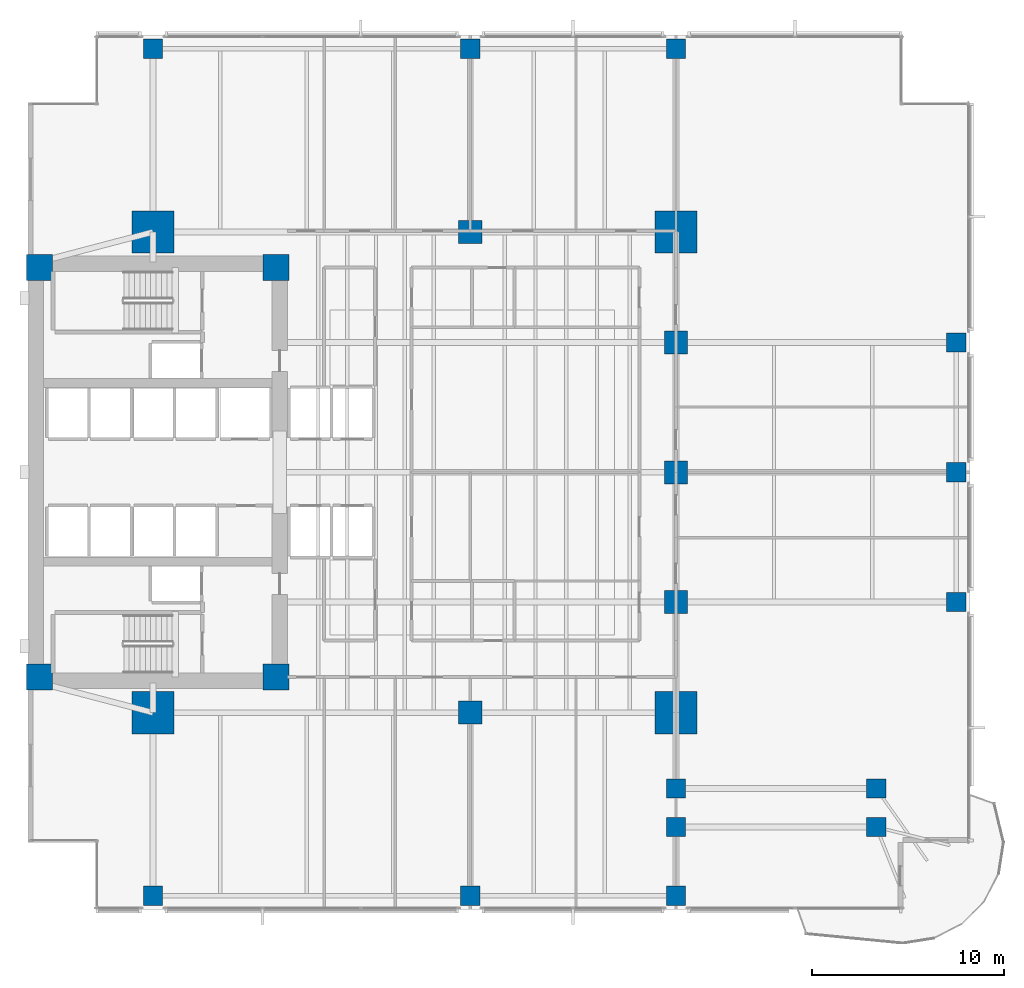
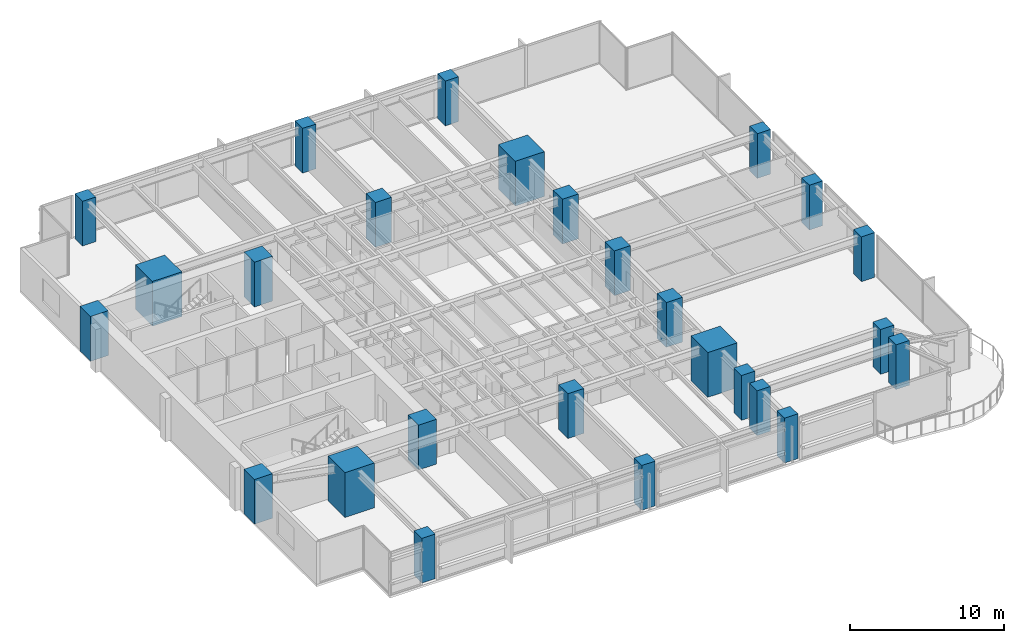
# One storey, part 1 of 15: 26 columns.
"""IFC4 building model written with IfcOpenShell, lengths in metres."""

from ifc_helpers import new_model, si_unit, direction, frame, origin, origin_2d, place, context, subcontext, project, spatial, rectangle, extrude, material, material_profile, profile_set, type_object, element, save


model = new_model("IFC4")

# Units and contexts
model_context = context("Model", 3, precision=1e-05, world=origin(), true_north=direction((0.0, 1.0)))
body_context = subcontext(model_context, "Body", "Model", "MODEL_VIEW")
ifc_project = project(units=[si_unit("LENGTHUNIT", "METRE"), si_unit("AREAUNIT", "SQUARE_METRE"), si_unit("VOLUMEUNIT", "CUBIC_METRE"), si_unit("PLANEANGLEUNIT", "RADIAN"), si_unit("MASSUNIT", "GRAM", prefix="KILO")], contexts=[model_context])

# Site, building, storey
site_placement = place(None, origin())
site = spatial("IfcSite", under=ifc_project, at=site_placement, CompositionType="ELEMENT")
building_placement = place(site_placement, origin())
building = spatial("IfcBuilding", under=site, at=building_placement, Name="Kinhvarn Gate Tower", CompositionType="ELEMENT")
storey_placement = place(building_placement, frame((0.0, 0.0, 61.10009765625)))
storey = spatial("IfcBuildingStorey", under=building, at=storey_placement, Name="L15", CompositionType="ELEMENT", Elevation=61.10009765625)

# Columns
ifc_material_1 = material(Name="Concrete C70/85", Category="concrete")
ifc_material_profile_1 = material_profile(ifc_material_1, rectangle(XDim=2.199951171875, YDim=2.199951171875, at=origin_2d()), Name="RC 2200x2200")
ifc_profile_set_1 = profile_set([ifc_material_profile_1], Name="Concrete C70/85")
column_type_1 = type_object("IfcColumnType", Name="COL-MC-2200", PredefinedType="COLUMN", material=ifc_profile_set_1)
for number, where, z_axis, x_axis, name in (
    (1, (11.0, 12.75, 0.0), (0.0, 0.0, 1.0), (1.0, 0.0, 0.0), "Column MC1-L15 (MC-22)"),
    (2, (11.0, 37.75, 0.0), (0.0, 0.0, 1.0), (1.0, 0.0, 0.0), "Column MC4-L15 (MC-22)"),
    (3, (38.199951171875, 12.75, 0.0), (0.0, 0.0, 1.0), (1.0, 0.0, 0.0), "Column MC2-L15 (MC-22)"),
    (4, (38.199951171875, 37.75, 0.0), (0.0, 0.0, 1.0), (1.0, 0.0, 0.0), "Column MC3-L15 (MC-22)"),
):
    element("IfcColumn", number, at=place(storey_placement, frame(where, z_axis=z_axis, x_axis=x_axis)), inside=storey, type_object=column_type_1, Name=name, PredefinedType="COLUMN", context=body_context, shape_type="SweptSolid", body=[
        extrude(rectangle(XDim=2.199951171875, YDim=2.199951171875, at=origin_2d()), origin(), (0.0, 0.0, 1.0), 3.5498046875),
    ])
ifc_material_2 = material(Name="Concrete C60/75", Category="concrete")
ifc_material_profile_2 = material_profile(ifc_material_2, rectangle(XDim=1.0, YDim=1.0, at=origin_2d()), Name="RC 1000x1000")
ifc_profile_set_2 = profile_set([ifc_material_profile_2], Name="Concrete C60/75")
column_type_2 = type_object("IfcColumnType", Name="COL-RC-1000", PredefinedType="COLUMN", material=ifc_profile_set_2)
for number, where, z_axis, x_axis, name in (
    (5, (48.6201171875, 6.800048828125, 0.0), (0.0, 0.0, 1.0), (1.0, 0.0, 0.0), "Column CS-SE1-L15 (C-100)"),
    (6, (38.199951171875, 6.800048828125, 0.0), (0.0, 0.0, 1.0), (1.0, 0.0, 0.0), "Column CS-ANC68-L15 (C-100)"),
    (7, (38.199951171875, 8.800048828125, 0.0), (0.0, 0.0, 1.0), (1.0, 0.0, 0.0), "Column CS-ANC88-L15 (C-100)"),
    (8, (48.6201171875, 8.800048828125, 0.0), (0.0, 0.0, 1.0), (1.0, 0.0, 0.0), "Column CS-SE1B-L15 (C-100)"),
    (9, (52.780029296875, 18.5, 0.0), (0.0, 0.0, 1.0), (1.0, 0.0, 0.0), "Column CE-1-L15 (C-100)"),
    (10, (52.780029296875, 25.25, 0.0), (0.0, 0.0, 1.0), (1.0, 0.0, 0.0), "Column CE-2-L15 (C-100)"),
    (11, (52.780029296875, 32.0, 0.0), (0.0, 0.0, 1.0), (1.0, 0.0, 0.0), "Column CE-3-L15 (C-100)"),
    (12, (11.0, 3.219970703125, 0.0), (0.0, 0.0, 1.0), (1.0, 0.0, 0.0), "Column CS-0-L15 (C-100)"),
    (13, (27.5, 3.219970703125, 0.0), (0.0, 0.0, 1.0), (1.0, 0.0, 0.0), "Column CS-1-L15 (C-100)"),
    (14, (38.199951171875, 3.219970703125, 0.0), (0.0, 0.0, 1.0), (1.0, 0.0, 0.0), "Column CS-2-L15 (C-100)"),
    (15, (11.0, 47.280029296875, 0.0), (0.0, 0.0, 1.0), (1.0, 0.0, 0.0), "Column CN-0-L15 (C-100)"),
    (16, (27.5, 47.280029296875, 0.0), (0.0, 0.0, 1.0), (1.0, 0.0, 0.0), "Column CN-1-L15 (C-100)"),
    (17, (38.199951171875, 47.280029296875, 0.0), (0.0, 0.0, 1.0), (1.0, 0.0, 0.0), "Column CN-2-L15 (C-100)"),
):
    element("IfcColumn", number, at=place(storey_placement, frame(where, z_axis=z_axis, x_axis=x_axis)), inside=storey, type_object=column_type_2, Name=name, PredefinedType="COLUMN", context=body_context, shape_type="SweptSolid", body=[
        extrude(rectangle(XDim=1.0, YDim=1.0, at=origin_2d()), origin(), (0.0, 0.0, 1.0), 3.5498046875),
    ])
ifc_material_profile_3 = material_profile(ifc_material_2, rectangle(XDim=1.199951171875, YDim=1.199951171875, at=origin_2d()), Name="RC 1200x1200")
ifc_profile_set_3 = profile_set([ifc_material_profile_3], Name="Concrete C60/75")
column_type_3 = type_object("IfcColumnType", Name="COL-RC-1200", PredefinedType="COLUMN", material=ifc_profile_set_3)
for number, where, z_axis, x_axis, name in (
    (18, (27.5, 12.75, 0.0), (0.0, 0.0, 1.0), (1.0, 0.0, 0.0), "Column SP27-S-L15 (C-120)"),
    (19, (27.5, 37.75, 0.0), (0.0, 0.0, 1.0), (1.0, 0.0, 0.0), "Column SP27-N-L15 (C-120)"),
    (20, (38.199951171875, 18.5, 0.0), (0.0, 0.0, 1.0), (1.0, 0.0, 0.0), "Column SP38-E1-L15 (C-120)"),
    (21, (38.199951171875, 25.25, 0.0), (0.0, 0.0, 1.0), (1.0, 0.0, 0.0), "Column SP38-E2-L15 (C-120)"),
    (22, (38.199951171875, 32.0, 0.0), (0.0, 0.0, 1.0), (1.0, 0.0, 0.0), "Column SP38-E3-L15 (C-120)"),
):
    element("IfcColumn", number, at=place(storey_placement, frame(where, z_axis=z_axis, x_axis=x_axis)), inside=storey, type_object=column_type_3, Name=name, PredefinedType="COLUMN", context=body_context, shape_type="SweptSolid", body=[
        extrude(rectangle(XDim=1.199951171875, YDim=1.199951171875, at=origin_2d()), origin(), (0.0, 0.0, 1.0), 3.5498046875),
    ])
ifc_material_profile_4 = material_profile(ifc_material_1, rectangle(XDim=1.35009765625, YDim=1.35009765625, at=origin_2d()), Name="RC 1350x1350")
ifc_profile_set_4 = profile_set([ifc_material_profile_4], Name="Concrete C70/85")
column_type_4 = type_object("IfcColumnType", Name="PIL-RC-1350", PredefinedType="PILASTER", material=ifc_profile_set_4)
for number, where, z_axis, x_axis, name in (
    (23, (5.10009765625, 14.60009765625, 0.0), (0.0, 0.0, 1.0), (1.0, 0.0, 0.0), "Column CC-SW-L15 (CP-135)"),
    (24, (5.10009765625, 35.89990234375, 0.0), (0.0, 0.0, 1.0), (1.0, 0.0, 0.0), "Column CC-NW-L15 (CP-135)"),
    (25, (17.39990234375, 14.60009765625, 0.0), (0.0, 0.0, 1.0), (1.0, 0.0, 0.0), "Column CC-SE-L15 (CP-135)"),
    (26, (17.39990234375, 35.89990234375, 0.0), (0.0, 0.0, 1.0), (1.0, 0.0, 0.0), "Column CC-NE-L15 (CP-135)"),
):
    element("IfcColumn", number, at=place(storey_placement, frame(where, z_axis=z_axis, x_axis=x_axis)), inside=storey, type_object=column_type_4, Name=name, PredefinedType="PILASTER", context=body_context, shape_type="SweptSolid", body=[
        extrude(rectangle(XDim=1.35009765625, YDim=1.35009765625, at=origin_2d()), origin(), (0.0, 0.0, 1.0), 3.5498046875),
    ])

save(model, "model.ifc")
